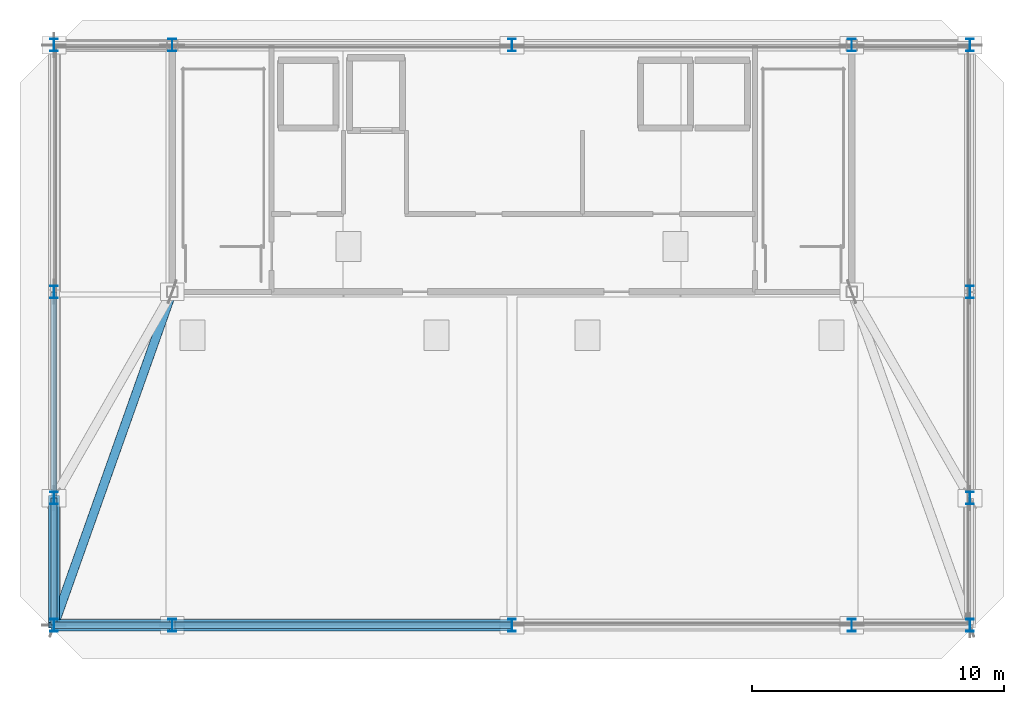
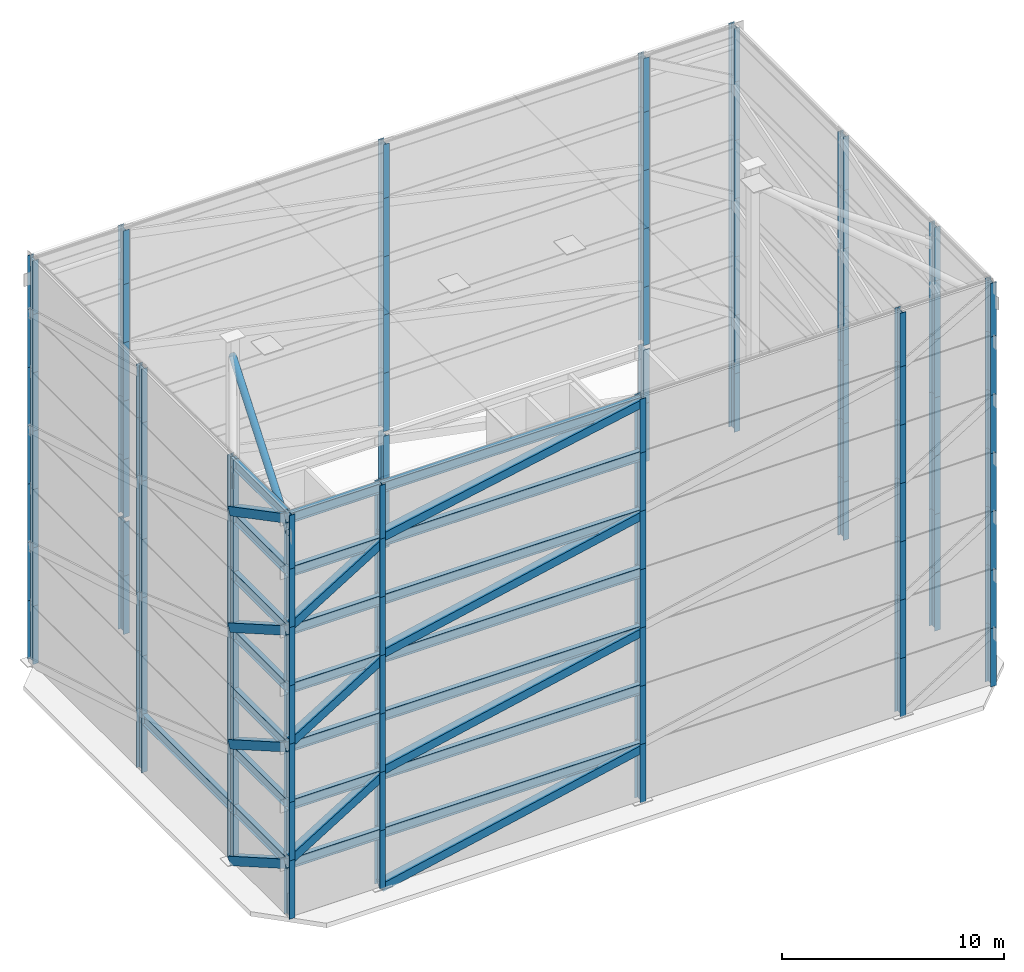
# One storey, part 1 of 8: 98 columns, 22 beams, 12 members.
"""IFC4 building model written with IfcOpenShell, lengths in metres."""

from ifc_helpers import new_model, si_unit, direction, frame, origin, origin_2d, place, context, subcontext, project, spatial, hollow_rectangle, hollow_circle, i_section, extrude, material, material_profile, profile_set, type_object, element, save


model = new_model("IFC4")

# Units and contexts
model_context = context("Model", 3, precision=1e-05, world=origin(), true_north=direction((0.0, 1.0)))
body_context = subcontext(model_context, "Body", "Model", "MODEL_VIEW")
ifc_project = project(units=[si_unit("LENGTHUNIT", "METRE"), si_unit("AREAUNIT", "SQUARE_METRE"), si_unit("VOLUMEUNIT", "CUBIC_METRE"), si_unit("PLANEANGLEUNIT", "RADIAN"), si_unit("MASSUNIT", "GRAM", prefix="KILO")], contexts=[model_context])

# Site, building, storey
site_placement = place(None, origin())
site = spatial("IfcSite", under=ifc_project, at=site_placement, CompositionType="ELEMENT")
building_placement = place(site_placement, origin())
building = spatial("IfcBuilding", under=site, at=building_placement, Name="Haevon Station Towers", CompositionType="ELEMENT")
storey_placement = place(building_placement, frame((0.0, 0.0, 270.0)))
storey = spatial("IfcBuildingStorey", under=building, at=storey_placement, Name="Roof", CompositionType="ELEMENT", Elevation=270.0)

# Columns
ifc_material = material(Name="Steel S355", Category="steel")
ifc_material_profile_1 = material_profile(ifc_material, i_section(OverallWidth=0.300048828125, OverallDepth=0.5, WebThickness=0.013916015625, FlangeThickness=0.02197265625, at=origin_2d()), Name="H-500x300x14x22")
ifc_profile_set_1 = profile_set([ifc_material_profile_1], Name="Steel S355")
column_type = type_object("IfcColumnType", Name="COL-CRN1", PredefinedType="COLUMN", material=ifc_profile_set_1)
for number, where, z_axis, x_axis, name in (
    (1, (19.300048828125, 24.949951171875, 0.0), (0.0, 0.0, 1.0), (1.0, 0.0, 0.0), "CROWN FRAME Column T1-01"),
    (2, (24.0, 24.949951171875, 0.0), (0.0, 0.0, 1.0), (1.0, 0.0, 0.0), "CROWN FRAME Column T1-02"),
    (3, (37.5, 24.949951171875, 0.0), (0.0, 0.0, 1.0), (1.0, 0.0, 0.0), "CROWN FRAME Column T1-03"),
    (4, (51.0, 24.949951171875, 0.0), (0.0, 0.0, 1.0), (1.0, 0.0, 0.0), "CROWN FRAME Column T1-04"),
    (5, (55.699951171875, 24.949951171875, 0.0), (0.0, 0.0, 1.0), (1.0, 0.0, 0.0), "CROWN FRAME Column T1-05"),
    (6, (55.699951171875, 30.0, 0.0), (0.0, 0.0, 1.0), (1.0, 0.0, 0.0), "CROWN FRAME Column T1-06"),
    (7, (55.699951171875, 38.199951171875, 0.0), (0.0, 0.0, 1.0), (1.0, 0.0, 0.0), "CROWN FRAME Column T1-07"),
    (8, (55.699951171875, 48.0, 0.0), (0.0, 0.0, 1.0), (1.0, 0.0, 0.0), "CROWN FRAME Column T1-08"),
    (9, (51.0, 48.0, 0.0), (0.0, 0.0, 1.0), (1.0, 0.0, 0.0), "CROWN FRAME Column T1-09"),
    (10, (37.5, 48.0, 0.0), (0.0, 0.0, 1.0), (1.0, 0.0, 0.0), "CROWN FRAME Column T1-10"),
    (11, (24.0, 48.0, 0.0), (0.0, 0.0, 1.0), (1.0, 0.0, 0.0), "CROWN FRAME Column T1-11"),
    (12, (19.300048828125, 48.0, 0.0), (0.0, 0.0, 1.0), (1.0, 0.0, 0.0), "CROWN FRAME Column T1-12"),
    (13, (19.300048828125, 38.199951171875, 0.0), (0.0, 0.0, 1.0), (1.0, 0.0, 0.0), "CROWN FRAME Column T1-13"),
    (14, (19.300048828125, 30.0, 0.0), (0.0, 0.0, 1.0), (1.0, 0.0, 0.0), "CROWN FRAME Column T1-14"),
    (15, (19.300048828125, 24.949951171875, 3.199951171875), (0.0, 0.0, 1.0), (1.0, 0.0, 0.0), "CROWN FRAME Column T2-01"),
    (16, (24.0, 24.949951171875, 3.199951171875), (0.0, 0.0, 1.0), (1.0, 0.0, 0.0), "CROWN FRAME Column T2-02"),
    (17, (37.5, 24.949951171875, 3.199951171875), (0.0, 0.0, 1.0), (1.0, 0.0, 0.0), "CROWN FRAME Column T2-03"),
    (18, (51.0, 24.949951171875, 3.199951171875), (0.0, 0.0, 1.0), (1.0, 0.0, 0.0), "CROWN FRAME Column T2-04"),
    (19, (55.699951171875, 24.949951171875, 3.199951171875), (0.0, 0.0, 1.0), (1.0, 0.0, 0.0), "CROWN FRAME Column T2-05"),
    (20, (55.699951171875, 30.0, 3.199951171875), (0.0, 0.0, 1.0), (1.0, 0.0, 0.0), "CROWN FRAME Column T2-06"),
    (21, (55.699951171875, 38.199951171875, 3.199951171875), (0.0, 0.0, 1.0), (1.0, 0.0, 0.0), "CROWN FRAME Column T2-07"),
    (22, (55.699951171875, 48.0, 3.199951171875), (0.0, 0.0, 1.0), (1.0, 0.0, 0.0), "CROWN FRAME Column T2-08"),
):
    element("IfcColumn", number, at=place(storey_placement, frame(where, z_axis=z_axis, x_axis=x_axis)), inside=storey, type_object=column_type, Name=name, PredefinedType="COLUMN", context=body_context, shape_type="SweptSolid", body=[
        extrude(i_section(OverallWidth=0.300048828125, OverallDepth=0.5, WebThickness=0.013916015625, FlangeThickness=0.02197265625, at=origin_2d()), origin(), (0.0, 0.0, 1.0), 3.199951171875),
    ])
for number, where, z_axis, x_axis, name in (
    (23, (51.0, 48.0, 3.199951171875), (0.0, 0.0, 1.0), (1.0, 0.0, 0.0), "CROWN FRAME Column T2-09"),
    (24, (37.5, 48.0, 3.199951171875), (0.0, 0.0, 1.0), (1.0, 0.0, 0.0), "CROWN FRAME Column T2-10"),
    (25, (24.0, 48.0, 3.199951171875), (0.0, 0.0, 1.0), (1.0, 0.0, 0.0), "CROWN FRAME Column T2-11"),
):
    element("IfcColumn", number, at=place(storey_placement, frame(where, z_axis=z_axis, x_axis=x_axis)), inside=storey, type_object=column_type, Name=name, PredefinedType="COLUMN", context=body_context, shape_type="SweptSolid", body=[
        extrude(i_section(OverallWidth=0.300048828125, OverallDepth=0.5, WebThickness=0.013916015625, FlangeThickness=0.02197265625, at=origin_2d()), origin(), (0.0, 0.0, 1.0), 2.949951171875),
    ])
for number, where, z_axis, x_axis, name in (
    (26, (19.300048828125, 48.0, 3.199951171875), (0.0, 0.0, 1.0), (1.0, 0.0, 0.0), "CROWN FRAME Column T2-12"),
    (27, (19.300048828125, 38.199951171875, 3.199951171875), (0.0, 0.0, 1.0), (1.0, 0.0, 0.0), "CROWN FRAME Column T2-13"),
    (28, (19.300048828125, 30.0, 3.199951171875), (0.0, 0.0, 1.0), (1.0, 0.0, 0.0), "CROWN FRAME Column T2-14"),
):
    element("IfcColumn", number, at=place(storey_placement, frame(where, z_axis=z_axis, x_axis=x_axis)), inside=storey, type_object=column_type, Name=name, PredefinedType="COLUMN", context=body_context, shape_type="SweptSolid", body=[
        extrude(i_section(OverallWidth=0.300048828125, OverallDepth=0.5, WebThickness=0.013916015625, FlangeThickness=0.02197265625, at=origin_2d()), origin(), (0.0, 0.0, 1.0), 3.199951171875),
    ])
for number, where, z_axis, x_axis, name in (
    (29, (19.300048828125, 24.949951171875, 6.39990234375), (0.0, 0.0, 1.0), (1.0, 0.0, 0.0), "CROWN FRAME Column T3-01"),
    (30, (24.0, 24.949951171875, 6.39990234375), (0.0, 0.0, 1.0), (1.0, 0.0, 0.0), "CROWN FRAME Column T3-02"),
    (31, (37.5, 24.949951171875, 6.39990234375), (0.0, 0.0, 1.0), (1.0, 0.0, 0.0), "CROWN FRAME Column T3-03"),
    (32, (51.0, 24.949951171875, 6.39990234375), (0.0, 0.0, 1.0), (1.0, 0.0, 0.0), "CROWN FRAME Column T3-04"),
    (33, (55.699951171875, 24.949951171875, 6.39990234375), (0.0, 0.0, 1.0), (1.0, 0.0, 0.0), "CROWN FRAME Column T3-05"),
    (34, (55.699951171875, 30.0, 6.39990234375), (0.0, 0.0, 1.0), (1.0, 0.0, 0.0), "CROWN FRAME Column T3-06"),
    (35, (55.699951171875, 38.199951171875, 6.39990234375), (0.0, 0.0, 1.0), (1.0, 0.0, 0.0), "CROWN FRAME Column T3-07"),
    (36, (55.699951171875, 48.0, 6.39990234375), (0.0, 0.0, 1.0), (1.0, 0.0, 0.0), "CROWN FRAME Column T3-08"),
    (37, (51.0, 48.0, 6.39990234375), (0.0, 0.0, 1.0), (1.0, 0.0, 0.0), "CROWN FRAME Column T3-09"),
    (38, (37.5, 48.0, 6.39990234375), (0.0, 0.0, 1.0), (1.0, 0.0, 0.0), "CROWN FRAME Column T3-10"),
    (39, (24.0, 48.0, 6.39990234375), (0.0, 0.0, 1.0), (1.0, 0.0, 0.0), "CROWN FRAME Column T3-11"),
    (40, (19.300048828125, 48.0, 6.39990234375), (0.0, 0.0, 1.0), (1.0, 0.0, 0.0), "CROWN FRAME Column T3-12"),
    (41, (19.300048828125, 38.199951171875, 6.39990234375), (0.0, 0.0, 1.0), (1.0, 0.0, 0.0), "CROWN FRAME Column T3-13"),
    (42, (19.300048828125, 30.0, 6.39990234375), (0.0, 0.0, 1.0), (1.0, 0.0, 0.0), "CROWN FRAME Column T3-14"),
):
    element("IfcColumn", number, at=place(storey_placement, frame(where, z_axis=z_axis, x_axis=x_axis)), inside=storey, type_object=column_type, Name=name, PredefinedType="COLUMN", context=body_context, shape_type="SweptSolid", body=[
        extrude(i_section(OverallWidth=0.300048828125, OverallDepth=0.5, WebThickness=0.013916015625, FlangeThickness=0.02197265625, at=origin_2d()), origin(), (0.0, 0.0, 1.0), 3.2001953125),
    ])
for number, where, z_axis, x_axis, name in (
    (43, (19.300048828125, 24.949951171875, 9.60009765625), (0.0, 0.0, 1.0), (1.0, 0.0, 0.0), "CROWN FRAME Column T4-01"),
    (44, (24.0, 24.949951171875, 9.60009765625), (0.0, 0.0, 1.0), (1.0, 0.0, 0.0), "CROWN FRAME Column T4-02"),
    (45, (37.5, 24.949951171875, 9.60009765625), (0.0, 0.0, 1.0), (1.0, 0.0, 0.0), "CROWN FRAME Column T4-03"),
    (46, (51.0, 24.949951171875, 9.60009765625), (0.0, 0.0, 1.0), (1.0, 0.0, 0.0), "CROWN FRAME Column T4-04"),
    (47, (55.699951171875, 24.949951171875, 9.60009765625), (0.0, 0.0, 1.0), (1.0, 0.0, 0.0), "CROWN FRAME Column T4-05"),
    (48, (55.699951171875, 30.0, 9.60009765625), (0.0, 0.0, 1.0), (1.0, 0.0, 0.0), "CROWN FRAME Column T4-06"),
    (49, (55.699951171875, 38.199951171875, 9.60009765625), (0.0, 0.0, 1.0), (1.0, 0.0, 0.0), "CROWN FRAME Column T4-07"),
    (50, (55.699951171875, 48.0, 9.60009765625), (0.0, 0.0, 1.0), (1.0, 0.0, 0.0), "CROWN FRAME Column T4-08"),
    (51, (51.0, 48.0, 9.60009765625), (0.0, 0.0, 1.0), (1.0, 0.0, 0.0), "CROWN FRAME Column T4-09"),
    (52, (37.5, 48.0, 9.60009765625), (0.0, 0.0, 1.0), (1.0, 0.0, 0.0), "CROWN FRAME Column T4-10"),
    (53, (24.0, 48.0, 9.60009765625), (0.0, 0.0, 1.0), (1.0, 0.0, 0.0), "CROWN FRAME Column T4-11"),
    (54, (19.300048828125, 48.0, 9.60009765625), (0.0, 0.0, 1.0), (1.0, 0.0, 0.0), "CROWN FRAME Column T4-12"),
    (55, (19.300048828125, 38.199951171875, 9.60009765625), (0.0, 0.0, 1.0), (1.0, 0.0, 0.0), "CROWN FRAME Column T4-13"),
    (56, (19.300048828125, 30.0, 9.60009765625), (0.0, 0.0, 1.0), (1.0, 0.0, 0.0), "CROWN FRAME Column T4-14"),
    (57, (19.300048828125, 24.949951171875, 12.800048828125), (0.0, 0.0, 1.0), (1.0, 0.0, 0.0), "CROWN FRAME Column T5-01"),
    (58, (24.0, 24.949951171875, 12.800048828125), (0.0, 0.0, 1.0), (1.0, 0.0, 0.0), "CROWN FRAME Column T5-02"),
    (59, (37.5, 24.949951171875, 12.800048828125), (0.0, 0.0, 1.0), (1.0, 0.0, 0.0), "CROWN FRAME Column T5-03"),
    (60, (51.0, 24.949951171875, 12.800048828125), (0.0, 0.0, 1.0), (1.0, 0.0, 0.0), "CROWN FRAME Column T5-04"),
    (61, (55.699951171875, 24.949951171875, 12.800048828125), (0.0, 0.0, 1.0), (1.0, 0.0, 0.0), "CROWN FRAME Column T5-05"),
    (62, (55.699951171875, 30.0, 12.800048828125), (0.0, 0.0, 1.0), (1.0, 0.0, 0.0), "CROWN FRAME Column T5-06"),
    (63, (55.699951171875, 38.199951171875, 12.800048828125), (0.0, 0.0, 1.0), (1.0, 0.0, 0.0), "CROWN FRAME Column T5-07"),
    (64, (55.699951171875, 48.0, 12.800048828125), (0.0, 0.0, 1.0), (1.0, 0.0, 0.0), "CROWN FRAME Column T5-08"),
    (65, (51.0, 48.0, 12.800048828125), (0.0, 0.0, 1.0), (1.0, 0.0, 0.0), "CROWN FRAME Column T5-09"),
    (66, (37.5, 48.0, 12.800048828125), (0.0, 0.0, 1.0), (1.0, 0.0, 0.0), "CROWN FRAME Column T5-10"),
    (67, (24.0, 48.0, 12.800048828125), (0.0, 0.0, 1.0), (1.0, 0.0, 0.0), "CROWN FRAME Column T5-11"),
    (68, (19.300048828125, 48.0, 12.800048828125), (0.0, 0.0, 1.0), (1.0, 0.0, 0.0), "CROWN FRAME Column T5-12"),
    (69, (19.300048828125, 38.199951171875, 12.800048828125), (0.0, 0.0, 1.0), (1.0, 0.0, 0.0), "CROWN FRAME Column T5-13"),
    (70, (19.300048828125, 30.0, 12.800048828125), (0.0, 0.0, 1.0), (1.0, 0.0, 0.0), "CROWN FRAME Column T5-14"),
    (71, (19.300048828125, 24.949951171875, 16.0), (0.0, 0.0, 1.0), (1.0, 0.0, 0.0), "CROWN FRAME Column T6-01"),
    (72, (24.0, 24.949951171875, 16.0), (0.0, 0.0, 1.0), (1.0, 0.0, 0.0), "CROWN FRAME Column T6-02"),
    (73, (37.5, 24.949951171875, 16.0), (0.0, 0.0, 1.0), (1.0, 0.0, 0.0), "CROWN FRAME Column T6-03"),
    (74, (51.0, 24.949951171875, 16.0), (0.0, 0.0, 1.0), (1.0, 0.0, 0.0), "CROWN FRAME Column T6-04"),
    (75, (55.699951171875, 24.949951171875, 16.0), (0.0, 0.0, 1.0), (1.0, 0.0, 0.0), "CROWN FRAME Column T6-05"),
    (76, (55.699951171875, 30.0, 16.0), (0.0, 0.0, 1.0), (1.0, 0.0, 0.0), "CROWN FRAME Column T6-06"),
    (77, (55.699951171875, 38.199951171875, 16.0), (0.0, 0.0, 1.0), (1.0, 0.0, 0.0), "CROWN FRAME Column T6-07"),
    (78, (55.699951171875, 48.0, 16.0), (0.0, 0.0, 1.0), (1.0, 0.0, 0.0), "CROWN FRAME Column T6-08"),
    (79, (51.0, 48.0, 16.0), (0.0, 0.0, 1.0), (1.0, 0.0, 0.0), "CROWN FRAME Column T6-09"),
    (80, (37.5, 48.0, 16.0), (0.0, 0.0, 1.0), (1.0, 0.0, 0.0), "CROWN FRAME Column T6-10"),
    (81, (24.0, 48.0, 16.0), (0.0, 0.0, 1.0), (1.0, 0.0, 0.0), "CROWN FRAME Column T6-11"),
    (82, (19.300048828125, 48.0, 16.0), (0.0, 0.0, 1.0), (1.0, 0.0, 0.0), "CROWN FRAME Column T6-12"),
    (83, (19.300048828125, 38.199951171875, 16.0), (0.0, 0.0, 1.0), (1.0, 0.0, 0.0), "CROWN FRAME Column T6-13"),
    (84, (19.300048828125, 30.0, 16.0), (0.0, 0.0, 1.0), (1.0, 0.0, 0.0), "CROWN FRAME Column T6-14"),
):
    element("IfcColumn", number, at=place(storey_placement, frame(where, z_axis=z_axis, x_axis=x_axis)), inside=storey, type_object=column_type, Name=name, PredefinedType="COLUMN", context=body_context, shape_type="SweptSolid", body=[
        extrude(i_section(OverallWidth=0.300048828125, OverallDepth=0.5, WebThickness=0.013916015625, FlangeThickness=0.02197265625, at=origin_2d()), origin(), (0.0, 0.0, 1.0), 3.199951171875),
    ])
for number, where, z_axis, x_axis, name in (
    (85, (19.300048828125, 24.949951171875, 19.199951171875), (0.0, 0.0, 1.0), (1.0, 0.0, 0.0), "CROWN FRAME Column T7-01"),
    (86, (24.0, 24.949951171875, 19.199951171875), (0.0, 0.0, 1.0), (1.0, 0.0, 0.0), "CROWN FRAME Column T7-02"),
    (87, (37.5, 24.949951171875, 19.199951171875), (0.0, 0.0, 1.0), (1.0, 0.0, 0.0), "CROWN FRAME Column T7-03"),
    (88, (51.0, 24.949951171875, 19.199951171875), (0.0, 0.0, 1.0), (1.0, 0.0, 0.0), "CROWN FRAME Column T7-04"),
    (89, (55.699951171875, 24.949951171875, 19.199951171875), (0.0, 0.0, 1.0), (1.0, 0.0, 0.0), "CROWN FRAME Column T7-05"),
    (90, (55.699951171875, 30.0, 19.199951171875), (0.0, 0.0, 1.0), (1.0, 0.0, 0.0), "CROWN FRAME Column T7-06"),
    (91, (55.699951171875, 38.199951171875, 19.199951171875), (0.0, 0.0, 1.0), (1.0, 0.0, 0.0), "CROWN FRAME Column T7-07"),
    (92, (55.699951171875, 48.0, 19.199951171875), (0.0, 0.0, 1.0), (1.0, 0.0, 0.0), "CROWN FRAME Column T7-08"),
    (93, (51.0, 48.0, 19.199951171875), (0.0, 0.0, 1.0), (1.0, 0.0, 0.0), "CROWN FRAME Column T7-09"),
    (94, (37.5, 48.0, 19.199951171875), (0.0, 0.0, 1.0), (1.0, 0.0, 0.0), "CROWN FRAME Column T7-10"),
    (95, (24.0, 48.0, 19.199951171875), (0.0, 0.0, 1.0), (1.0, 0.0, 0.0), "CROWN FRAME Column T7-11"),
    (96, (19.300048828125, 48.0, 19.199951171875), (0.0, 0.0, 1.0), (1.0, 0.0, 0.0), "CROWN FRAME Column T7-12"),
    (97, (19.300048828125, 38.199951171875, 19.199951171875), (0.0, 0.0, 1.0), (1.0, 0.0, 0.0), "CROWN FRAME Column T7-13"),
    (98, (19.300048828125, 30.0, 19.199951171875), (0.0, 0.0, 1.0), (1.0, 0.0, 0.0), "CROWN FRAME Column T7-14"),
):
    element("IfcColumn", number, at=place(storey_placement, frame(where, z_axis=z_axis, x_axis=x_axis)), inside=storey, type_object=column_type, Name=name, PredefinedType="COLUMN", context=body_context, shape_type="SweptSolid", body=[
        extrude(i_section(OverallWidth=0.300048828125, OverallDepth=0.5, WebThickness=0.013916015625, FlangeThickness=0.02197265625, at=origin_2d()), origin(), (0.0, 0.0, 1.0), 2.949951171875),
    ])

# Beams
ifc_material_profile_2 = material_profile(ifc_material, i_section(OverallWidth=0.25, OverallDepth=0.550048828125, WebThickness=0.011962890625, FlangeThickness=0.02001953125, at=origin_2d()), Name="H-550x250x12x20")
ifc_profile_set_2 = profile_set([ifc_material_profile_2], Name="Steel S355")
beam_type = type_object("IfcBeamType", Name="BM-CRN550", PredefinedType="BEAM", material=ifc_profile_set_2)
beam_1_placement = place(storey_placement, frame((19.300048828125, 24.949951171875, 2.925048828125), z_axis=(1.0, 0.0, 0.0), x_axis=(0.0, 1.0, 0.0)))
element("IfcBeam", 99, at=beam_1_placement, inside=storey, type_object=beam_type, Name="CROWN FRAME Ring Beam T1-01", PredefinedType="BEAM", context=body_context, shape_type="SweptSolid", body=[
    extrude(i_section(OverallWidth=0.25, OverallDepth=0.550048828125, WebThickness=0.011962890625, FlangeThickness=0.02001953125, at=origin_2d()), origin(), (0.0, 0.0, 1.0), 4.699951171875),
])
beam_2_placement = place(storey_placement, frame((24.0, 24.949951171875, 2.925048828125), z_axis=(1.0, 0.0, 0.0), x_axis=(0.0, 1.0, 0.0)))
element("IfcBeam", 100, at=beam_2_placement, inside=storey, type_object=beam_type, Name="CROWN FRAME Ring Beam T1-02", PredefinedType="BEAM", context=body_context, shape_type="SweptSolid", body=[
    extrude(i_section(OverallWidth=0.25, OverallDepth=0.550048828125, WebThickness=0.011962890625, FlangeThickness=0.02001953125, at=origin_2d()), origin(), (0.0, 0.0, 1.0), 13.5),
])
beam_3_placement = place(storey_placement, frame((19.300048828125, 38.199951171875, 2.925048828125), z_axis=(0.0, -1.0, 0.0), x_axis=(1.0, 0.0, 0.0)))
element("IfcBeam", 101, at=beam_3_placement, inside=storey, type_object=beam_type, Name="CROWN FRAME Ring Beam T1-13", PredefinedType="BEAM", context=body_context, shape_type="SweptSolid", body=[
    extrude(i_section(OverallWidth=0.25, OverallDepth=0.550048828125, WebThickness=0.011962890625, FlangeThickness=0.02001953125, at=origin_2d()), origin(), (0.0, 0.0, 1.0), 8.199951171875),
])
beam_4_placement = place(storey_placement, frame((19.300048828125, 30.0, 2.925048828125), z_axis=(0.0, -1.0, 0.0), x_axis=(1.0, 0.0, 0.0)))
element("IfcBeam", 102, at=beam_4_placement, inside=storey, type_object=beam_type, Name="CROWN FRAME Ring Beam T1-14", PredefinedType="BEAM", context=body_context, shape_type="SweptSolid", body=[
    extrude(i_section(OverallWidth=0.25, OverallDepth=0.550048828125, WebThickness=0.011962890625, FlangeThickness=0.02001953125, at=origin_2d()), origin(), (0.0, 0.0, 1.0), 5.050048828125),
])
beam_5_placement = place(storey_placement, frame((19.300048828125, 24.949951171875, 6.125), z_axis=(1.0, 0.0, 0.0), x_axis=(0.0, 1.0, 0.0)))
element("IfcBeam", 103, at=beam_5_placement, inside=storey, type_object=beam_type, Name="CROWN FRAME Ring Beam T2-01", PredefinedType="BEAM", context=body_context, shape_type="SweptSolid", body=[
    extrude(i_section(OverallWidth=0.25, OverallDepth=0.550048828125, WebThickness=0.011962890625, FlangeThickness=0.02001953125, at=origin_2d()), origin(), (0.0, 0.0, 1.0), 4.699951171875),
])
beam_6_placement = place(storey_placement, frame((24.0, 24.949951171875, 6.125), z_axis=(1.0, 0.0, 0.0), x_axis=(0.0, 1.0, 0.0)))
element("IfcBeam", 104, at=beam_6_placement, inside=storey, type_object=beam_type, Name="CROWN FRAME Ring Beam T2-02", PredefinedType="BEAM", context=body_context, shape_type="SweptSolid", body=[
    extrude(i_section(OverallWidth=0.25, OverallDepth=0.550048828125, WebThickness=0.011962890625, FlangeThickness=0.02001953125, at=origin_2d()), origin(), (0.0, 0.0, 1.0), 13.5),
])
beam_7_placement = place(storey_placement, frame((19.300048828125, 30.0, 6.125), z_axis=(0.0, -1.0, 0.0), x_axis=(1.0, 0.0, 0.0)))
element("IfcBeam", 105, at=beam_7_placement, inside=storey, type_object=beam_type, Name="CROWN FRAME Ring Beam T2-14", PredefinedType="BEAM", context=body_context, shape_type="SweptSolid", body=[
    extrude(i_section(OverallWidth=0.25, OverallDepth=0.550048828125, WebThickness=0.011962890625, FlangeThickness=0.02001953125, at=origin_2d()), origin(), (0.0, 0.0, 1.0), 5.050048828125),
])
beam_8_placement = place(storey_placement, frame((19.300048828125, 24.949951171875, 9.324951171875), z_axis=(1.0, 0.0, 0.0), x_axis=(0.0, 1.0, 0.0)))
element("IfcBeam", 106, at=beam_8_placement, inside=storey, type_object=beam_type, Name="CROWN FRAME Ring Beam T3-01", PredefinedType="BEAM", context=body_context, shape_type="SweptSolid", body=[
    extrude(i_section(OverallWidth=0.25, OverallDepth=0.550048828125, WebThickness=0.011962890625, FlangeThickness=0.02001953125, at=origin_2d()), origin(), (0.0, 0.0, 1.0), 4.699951171875),
])
beam_9_placement = place(storey_placement, frame((24.0, 24.949951171875, 9.324951171875), z_axis=(1.0, 0.0, 0.0), x_axis=(0.0, 1.0, 0.0)))
element("IfcBeam", 107, at=beam_9_placement, inside=storey, type_object=beam_type, Name="CROWN FRAME Ring Beam T3-02", PredefinedType="BEAM", context=body_context, shape_type="SweptSolid", body=[
    extrude(i_section(OverallWidth=0.25, OverallDepth=0.550048828125, WebThickness=0.011962890625, FlangeThickness=0.02001953125, at=origin_2d()), origin(), (0.0, 0.0, 1.0), 13.5),
])
beam_10_placement = place(storey_placement, frame((19.300048828125, 30.0, 9.324951171875), z_axis=(0.0, -1.0, 0.0), x_axis=(1.0, 0.0, 0.0)))
element("IfcBeam", 108, at=beam_10_placement, inside=storey, type_object=beam_type, Name="CROWN FRAME Ring Beam T3-14", PredefinedType="BEAM", context=body_context, shape_type="SweptSolid", body=[
    extrude(i_section(OverallWidth=0.25, OverallDepth=0.550048828125, WebThickness=0.011962890625, FlangeThickness=0.02001953125, at=origin_2d()), origin(), (0.0, 0.0, 1.0), 5.050048828125),
])
beam_11_placement = place(storey_placement, frame((19.300048828125, 24.949951171875, 12.52490234375), z_axis=(1.0, 0.0, 0.0), x_axis=(0.0, 1.0, 0.0)))
element("IfcBeam", 109, at=beam_11_placement, inside=storey, type_object=beam_type, Name="CROWN FRAME Ring Beam T4-01", PredefinedType="BEAM", context=body_context, shape_type="SweptSolid", body=[
    extrude(i_section(OverallWidth=0.25, OverallDepth=0.550048828125, WebThickness=0.011962890625, FlangeThickness=0.02001953125, at=origin_2d()), origin(), (0.0, 0.0, 1.0), 4.699951171875),
])
beam_12_placement = place(storey_placement, frame((24.0, 24.949951171875, 12.52490234375), z_axis=(1.0, 0.0, 0.0), x_axis=(0.0, 1.0, 0.0)))
element("IfcBeam", 110, at=beam_12_placement, inside=storey, type_object=beam_type, Name="CROWN FRAME Ring Beam T4-02", PredefinedType="BEAM", context=body_context, shape_type="SweptSolid", body=[
    extrude(i_section(OverallWidth=0.25, OverallDepth=0.550048828125, WebThickness=0.011962890625, FlangeThickness=0.02001953125, at=origin_2d()), origin(), (0.0, 0.0, 1.0), 13.5),
])
beam_13_placement = place(storey_placement, frame((19.300048828125, 30.0, 12.52490234375), z_axis=(0.0, -1.0, 0.0), x_axis=(1.0, 0.0, 0.0)))
element("IfcBeam", 111, at=beam_13_placement, inside=storey, type_object=beam_type, Name="CROWN FRAME Ring Beam T4-14", PredefinedType="BEAM", context=body_context, shape_type="SweptSolid", body=[
    extrude(i_section(OverallWidth=0.25, OverallDepth=0.550048828125, WebThickness=0.011962890625, FlangeThickness=0.02001953125, at=origin_2d()), origin(), (0.0, 0.0, 1.0), 5.050048828125),
])
beam_14_placement = place(storey_placement, frame((19.300048828125, 24.949951171875, 15.72509765625), z_axis=(1.0, 0.0, 0.0), x_axis=(0.0, 1.0, 0.0)))
element("IfcBeam", 112, at=beam_14_placement, inside=storey, type_object=beam_type, Name="CROWN FRAME Ring Beam T5-01", PredefinedType="BEAM", context=body_context, shape_type="SweptSolid", body=[
    extrude(i_section(OverallWidth=0.25, OverallDepth=0.550048828125, WebThickness=0.011962890625, FlangeThickness=0.02001953125, at=origin_2d()), origin(), (0.0, 0.0, 1.0), 4.699951171875),
])
beam_15_placement = place(storey_placement, frame((24.0, 24.949951171875, 15.72509765625), z_axis=(1.0, 0.0, 0.0), x_axis=(0.0, 1.0, 0.0)))
element("IfcBeam", 113, at=beam_15_placement, inside=storey, type_object=beam_type, Name="CROWN FRAME Ring Beam T5-02", PredefinedType="BEAM", context=body_context, shape_type="SweptSolid", body=[
    extrude(i_section(OverallWidth=0.25, OverallDepth=0.550048828125, WebThickness=0.011962890625, FlangeThickness=0.02001953125, at=origin_2d()), origin(), (0.0, 0.0, 1.0), 13.5),
])
beam_16_placement = place(storey_placement, frame((19.300048828125, 30.0, 15.72509765625), z_axis=(0.0, -1.0, 0.0), x_axis=(1.0, 0.0, 0.0)))
element("IfcBeam", 114, at=beam_16_placement, inside=storey, type_object=beam_type, Name="CROWN FRAME Ring Beam T5-14", PredefinedType="BEAM", context=body_context, shape_type="SweptSolid", body=[
    extrude(i_section(OverallWidth=0.25, OverallDepth=0.550048828125, WebThickness=0.011962890625, FlangeThickness=0.02001953125, at=origin_2d()), origin(), (0.0, 0.0, 1.0), 5.050048828125),
])
beam_17_placement = place(storey_placement, frame((19.300048828125, 24.949951171875, 18.925048828125), z_axis=(1.0, 0.0, 0.0), x_axis=(0.0, 1.0, 0.0)))
element("IfcBeam", 115, at=beam_17_placement, inside=storey, type_object=beam_type, Name="CROWN FRAME Ring Beam T6-01", PredefinedType="BEAM", context=body_context, shape_type="SweptSolid", body=[
    extrude(i_section(OverallWidth=0.25, OverallDepth=0.550048828125, WebThickness=0.011962890625, FlangeThickness=0.02001953125, at=origin_2d()), origin(), (0.0, 0.0, 1.0), 4.699951171875),
])
beam_18_placement = place(storey_placement, frame((24.0, 24.949951171875, 18.925048828125), z_axis=(1.0, 0.0, 0.0), x_axis=(0.0, 1.0, 0.0)))
element("IfcBeam", 116, at=beam_18_placement, inside=storey, type_object=beam_type, Name="CROWN FRAME Ring Beam T6-02", PredefinedType="BEAM", context=body_context, shape_type="SweptSolid", body=[
    extrude(i_section(OverallWidth=0.25, OverallDepth=0.550048828125, WebThickness=0.011962890625, FlangeThickness=0.02001953125, at=origin_2d()), origin(), (0.0, 0.0, 1.0), 13.5),
])
beam_19_placement = place(storey_placement, frame((19.300048828125, 30.0, 18.925048828125), z_axis=(0.0, -1.0, 0.0), x_axis=(1.0, 0.0, 0.0)))
element("IfcBeam", 117, at=beam_19_placement, inside=storey, type_object=beam_type, Name="CROWN FRAME Ring Beam T6-14", PredefinedType="BEAM", context=body_context, shape_type="SweptSolid", body=[
    extrude(i_section(OverallWidth=0.25, OverallDepth=0.550048828125, WebThickness=0.011962890625, FlangeThickness=0.02001953125, at=origin_2d()), origin(), (0.0, 0.0, 1.0), 5.050048828125),
])
beam_20_placement = place(storey_placement, frame((19.300048828125, 24.949951171875, 21.875), z_axis=(1.0, 0.0, 0.0), x_axis=(0.0, 1.0, 0.0)))
element("IfcBeam", 118, at=beam_20_placement, inside=storey, type_object=beam_type, Name="CROWN FRAME Ring Beam T7-01", PredefinedType="BEAM", context=body_context, shape_type="SweptSolid", body=[
    extrude(i_section(OverallWidth=0.25, OverallDepth=0.550048828125, WebThickness=0.011962890625, FlangeThickness=0.02001953125, at=origin_2d()), origin(), (0.0, 0.0, 1.0), 4.699951171875),
])
beam_21_placement = place(storey_placement, frame((24.0, 24.949951171875, 21.875), z_axis=(1.0, 0.0, 0.0), x_axis=(0.0, 1.0, 0.0)))
element("IfcBeam", 119, at=beam_21_placement, inside=storey, type_object=beam_type, Name="CROWN FRAME Ring Beam T7-02", PredefinedType="BEAM", context=body_context, shape_type="SweptSolid", body=[
    extrude(i_section(OverallWidth=0.25, OverallDepth=0.550048828125, WebThickness=0.011962890625, FlangeThickness=0.02001953125, at=origin_2d()), origin(), (0.0, 0.0, 1.0), 13.5),
])
beam_22_placement = place(storey_placement, frame((19.300048828125, 30.0, 21.875), z_axis=(0.0, -1.0, 0.0), x_axis=(1.0, 0.0, 0.0)))
element("IfcBeam", 120, at=beam_22_placement, inside=storey, type_object=beam_type, Name="CROWN FRAME Ring Beam T7-14", PredefinedType="BEAM", context=body_context, shape_type="SweptSolid", body=[
    extrude(i_section(OverallWidth=0.25, OverallDepth=0.550048828125, WebThickness=0.011962890625, FlangeThickness=0.02001953125, at=origin_2d()), origin(), (0.0, 0.0, 1.0), 5.050048828125),
])

# Members
ifc_material_profile_3 = material_profile(ifc_material, hollow_rectangle(XDim=0.449951171875, YDim=0.449951171875, WallThickness=0.02001953125, at=origin_2d()), Name="RHS-450x450x20")
ifc_profile_set_3 = profile_set([ifc_material_profile_3], Name="Steel S355")
member_type_1 = type_object("IfcMemberType", Name="BRCRN-450", PredefinedType="BRACE", material=ifc_profile_set_3)
member_1_placement = place(storey_placement, frame((24.0, 24.949951171875, 0.02001953125), z_axis=(0.977697757885, 0.0, 0.210016890338), x_axis=(0.0, 1.0, 0.0)))
element("IfcMember", 121, at=member_1_placement, inside=storey, type_object=member_type_1, Name="CROWN FRAME Wind Brace T1-02", PredefinedType="BRACE", context=body_context, shape_type="SweptSolid", body=[
    extrude(hollow_rectangle(XDim=0.449951171875, YDim=0.449951171875, WallThickness=0.02001953125, at=origin_2d()), origin(), (0.0, 0.0, 1.0), 13.807861328125),
])
member_2_placement = place(storey_placement, frame((19.300048828125, 30.0, 0.02001953125), z_axis=(0.0, -0.867193757202, 0.497970870101), x_axis=(1.0, 0.0, 0.0)))
element("IfcMember", 122, at=member_2_placement, inside=storey, type_object=member_type_1, Name="CROWN FRAME Wind Brace T1-14", PredefinedType="BRACE", context=body_context, shape_type="SweptSolid", body=[
    extrude(hollow_rectangle(XDim=0.449951171875, YDim=0.449951171875, WallThickness=0.02001953125, at=origin_2d()), origin(), (0.0, 0.0, 1.0), 5.823486328125),
])
member_3_placement = place(storey_placement, frame((19.300048828125, 24.949951171875, 3.219970703125), z_axis=(0.851021721425, 0.0, 0.525130488224), x_axis=(0.0, 1.0, 0.0)))
element("IfcMember", 123, at=member_3_placement, inside=storey, type_object=member_type_1, Name="CROWN FRAME Wind Brace T2-01", PredefinedType="BRACE", context=body_context, shape_type="SweptSolid", body=[
    extrude(hollow_rectangle(XDim=0.449951171875, YDim=0.449951171875, WallThickness=0.02001953125, at=origin_2d()), origin(), (0.0, 0.0, 1.0), 5.522705078125),
])
member_4_placement = place(storey_placement, frame((24.0, 24.949951171875, 6.419921875), z_axis=(0.977694127224, 0.0, 0.210033791545), x_axis=(0.0, 1.0, 0.0)))
element("IfcMember", 124, at=member_4_placement, inside=storey, type_object=member_type_1, Name="CROWN FRAME Wind Brace T3-02", PredefinedType="BRACE", context=body_context, shape_type="SweptSolid", body=[
    extrude(hollow_rectangle(XDim=0.449951171875, YDim=0.449951171875, WallThickness=0.02001953125, at=origin_2d()), origin(), (0.0, 0.0, 1.0), 13.80810546875),
])
member_5_placement = place(storey_placement, frame((19.300048828125, 30.0, 6.419921875), z_axis=(0.0, -0.86717565275, 0.498002396859), x_axis=(1.0, 0.0, 0.0)))
element("IfcMember", 125, at=member_5_placement, inside=storey, type_object=member_type_1, Name="CROWN FRAME Wind Brace T3-14", PredefinedType="BRACE", context=body_context, shape_type="SweptSolid", body=[
    extrude(hollow_rectangle(XDim=0.449951171875, YDim=0.449951171875, WallThickness=0.02001953125, at=origin_2d()), origin(), (0.0, 0.0, 1.0), 5.823486328125),
])
member_6_placement = place(storey_placement, frame((19.300048828125, 24.949951171875, 9.6201171875), z_axis=(0.851041477109, 0.0, 0.525098470994), x_axis=(0.0, 1.0, 0.0)))
element("IfcMember", 126, at=member_6_placement, inside=storey, type_object=member_type_1, Name="CROWN FRAME Wind Brace T4-01", PredefinedType="BRACE", context=body_context, shape_type="SweptSolid", body=[
    extrude(hollow_rectangle(XDim=0.449951171875, YDim=0.449951171875, WallThickness=0.02001953125, at=origin_2d()), origin(), (0.0, 0.0, 1.0), 5.522705078125),
])
member_7_placement = place(storey_placement, frame((24.0, 24.949951171875, 12.820068359375), z_axis=(0.977697757885, 0.0, 0.210016890338), x_axis=(0.0, 1.0, 0.0)))
element("IfcMember", 127, at=member_7_placement, inside=storey, type_object=member_type_1, Name="CROWN FRAME Wind Brace T5-02", PredefinedType="BRACE", context=body_context, shape_type="SweptSolid", body=[
    extrude(hollow_rectangle(XDim=0.449951171875, YDim=0.449951171875, WallThickness=0.02001953125, at=origin_2d()), origin(), (0.0, 0.0, 1.0), 13.807861328125),
])
member_8_placement = place(storey_placement, frame((19.300048828125, 30.0, 12.820068359375), z_axis=(0.0, -0.867193757202, 0.497970870101), x_axis=(1.0, 0.0, 0.0)))
element("IfcMember", 128, at=member_8_placement, inside=storey, type_object=member_type_1, Name="CROWN FRAME Wind Brace T5-14", PredefinedType="BRACE", context=body_context, shape_type="SweptSolid", body=[
    extrude(hollow_rectangle(XDim=0.449951171875, YDim=0.449951171875, WallThickness=0.02001953125, at=origin_2d()), origin(), (0.0, 0.0, 1.0), 5.823486328125),
])
member_9_placement = place(storey_placement, frame((19.300048828125, 24.949951171875, 16.02001953125), z_axis=(0.851041477109, 0.0, 0.525098470994), x_axis=(0.0, 1.0, 0.0)))
element("IfcMember", 129, at=member_9_placement, inside=storey, type_object=member_type_1, Name="CROWN FRAME Wind Brace T6-01", PredefinedType="BRACE", context=body_context, shape_type="SweptSolid", body=[
    extrude(hollow_rectangle(XDim=0.449951171875, YDim=0.449951171875, WallThickness=0.02001953125, at=origin_2d()), origin(), (0.0, 0.0, 1.0), 5.522705078125),
])
member_10_placement = place(storey_placement, frame((24.0, 24.949951171875, 19.219970703125), z_axis=(0.981271348846, 0.0, 0.192630578916), x_axis=(0.0, 1.0, 0.0)))
element("IfcMember", 130, at=member_10_placement, inside=storey, type_object=member_type_1, Name="CROWN FRAME Wind Brace T7-02", PredefinedType="BRACE", context=body_context, shape_type="SweptSolid", body=[
    extrude(hollow_rectangle(XDim=0.449951171875, YDim=0.449951171875, WallThickness=0.02001953125, at=origin_2d()), origin(), (0.0, 0.0, 1.0), 13.757568359375),
])
member_11_placement = place(storey_placement, frame((19.300048828125, 30.0, 19.219970703125), z_axis=(0.0, -0.885479372972, 0.464678684729), x_axis=(1.0, 0.0, 0.0)))
element("IfcMember", 131, at=member_11_placement, inside=storey, type_object=member_type_1, Name="CROWN FRAME Wind Brace T7-14", PredefinedType="BRACE", context=body_context, shape_type="SweptSolid", body=[
    extrude(hollow_rectangle(XDim=0.449951171875, YDim=0.449951171875, WallThickness=0.02001953125, at=origin_2d()), origin(), (0.0, 0.0, 1.0), 5.703125),
])
ifc_material_profile_4 = material_profile(ifc_material, hollow_circle(Radius=0.177734375, WallThickness=0.01611328125, at=origin_2d()), Name="CHS-355.6x16")
ifc_profile_set_4 = profile_set([ifc_material_profile_4], Name="Steel S355")
member_type_2 = type_object("IfcMemberType", Name="STCRN-356", PredefinedType="STRUT", material=ifc_profile_set_4)
member_12_placement = place(storey_placement, frame((19.300048828125, 24.949951171875, 21.050048828125), z_axis=(0.334304863164, 0.942464990578, 0.0), x_axis=(-0.942464990578, 0.334304863164, 0.0)))
element("IfcMember", 132, at=member_12_placement, inside=storey, type_object=member_type_2, Name="CROWN FRAME Top Ring Strut 1", PredefinedType="STRUT", context=body_context, shape_type="SweptSolid", body=[
    extrude(hollow_circle(Radius=0.177734375, WallThickness=0.01611328125, at=origin_2d()), origin(), (0.0, 0.0, 1.0), 14.058837890625),
])

save(model, "model.ifc")
